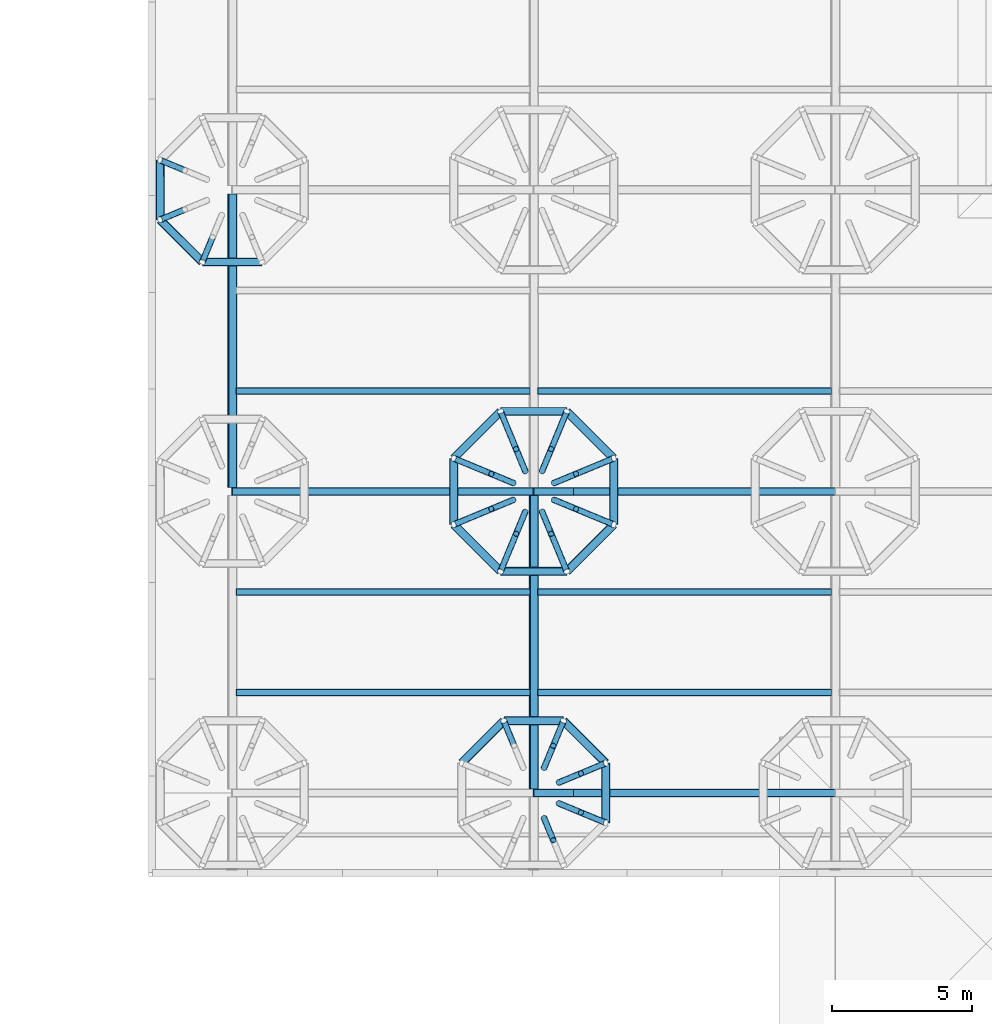
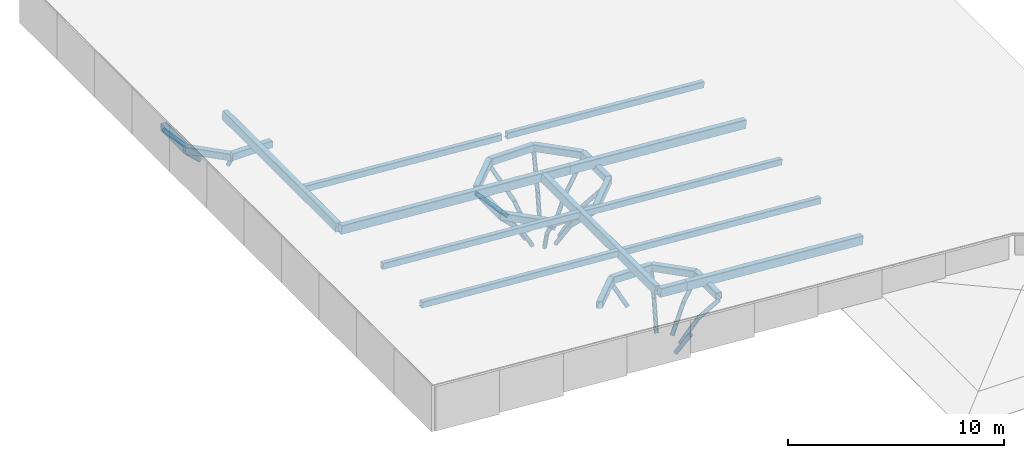
# One storey, part 37 of 95: 28 beams, 27 members.
"""IFC4 building model written with IfcOpenShell, lengths in metres."""

from ifc_helpers import new_model, si_unit, direction, frame, origin, origin_2d, place, context, subcontext, project, spatial, hollow_rectangle, hollow_circle, extrude, clip, halfspace, material, material_profile, profile_set, type_object, element, save


model = new_model("IFC4")

# Units and contexts
model_context = context("Model", 3, precision=1e-05, world=origin(), true_north=direction((0.0, 1.0)))
body_context = subcontext(model_context, "Body", "Model", "MODEL_VIEW")
ifc_project = project(units=[si_unit("LENGTHUNIT", "METRE"), si_unit("AREAUNIT", "SQUARE_METRE"), si_unit("VOLUMEUNIT", "CUBIC_METRE"), si_unit("PLANEANGLEUNIT", "RADIAN"), si_unit("MASSUNIT", "GRAM", prefix="KILO")], contexts=[model_context])

# Site, building, storey
site_placement = place(None, origin())
site = spatial("IfcSite", under=ifc_project, at=site_placement, CompositionType="ELEMENT")
building_placement = place(site_placement, origin())
building = spatial("IfcBuilding", under=site, at=building_placement, Name="Magnolia Steps Interchange", CompositionType="ELEMENT")
storey_placement = place(building_placement, frame((0.0, 0.0, 4.800048828125)))
storey = spatial("IfcBuildingStorey", under=building, at=storey_placement, Name="L01", CompositionType="ELEMENT", Elevation=4.800048828125)

# Beams
ifc_material_1 = material(Name="Steel Q355B", Category="steel")
ifc_material_profile_1 = material_profile(ifc_material_1, hollow_rectangle(XDim=0.300048828125, YDim=0.39990234375, WallThickness=0.013916015625, InnerFilletRadius=0.013916015625, OuterFilletRadius=0.028076171875, at=origin_2d()), Name="RHS400x300x14")
ifc_profile_set_1 = profile_set([ifc_material_profile_1], Name="Steel Q355B")
beam_type_1 = type_object("IfcBeamType", Name="Ring beam RHS400x300x14", PredefinedType="BEAM", material=ifc_profile_set_1)
beam_1_placement = place(storey_placement, frame((147.820068359375, 65.068603515625, 3.3310546875), z_axis=(0.0, -1.0, 0.0), x_axis=(1.0, 0.0, 0.0)))
element("IfcBeam", 1, at=beam_1_placement, inside=storey, type_object=beam_type_1, Name="Ring beam TC01C", PredefinedType="BEAM", context=body_context, shape_type="Clipping", body=[
    clip(clip(extrude(hollow_rectangle(XDim=0.300048828125, YDim=0.39990234375, WallThickness=0.013916015625, InnerFilletRadius=0.013916015625, OuterFilletRadius=0.028076171875, at=origin_2d()), origin(), (0.0, 0.0, 1.0), 2.13720703125), halfspace(frame((0.0, 0.0, 0.0), z_axis=(0.382683432, 0.0, -0.923879533), x_axis=(0.923879533, 0.0, 0.382683432)), False)), halfspace(frame((0.0, 0.0, 2.137207031), z_axis=(0.382683432, 0.0, 0.923879533), x_axis=(0.923879533, 0.0, -0.382683432)), False)),
])
beam_2_placement = place(storey_placement, frame((147.820068359375, 62.931396484375, 3.3310546875), z_axis=(0.707049666629, -0.707163891131, 0.0), x_axis=(0.707163891131, 0.707049666629, 0.0)))
element("IfcBeam", 2, at=beam_2_placement, inside=storey, type_object=beam_type_1, Name="Ring beam TC01C", PredefinedType="BEAM", context=body_context, shape_type="Clipping", body=[
    clip(clip(extrude(hollow_rectangle(XDim=0.300048828125, YDim=0.39990234375, WallThickness=0.013916015625, InnerFilletRadius=0.013916015625, OuterFilletRadius=0.028076171875, at=origin_2d()), origin(), (0.0, 0.0, 1.0), 2.137451171875), halfspace(frame((0.0, 0.0, 0.0), z_axis=(0.382608811, 0.0, -0.923910438), x_axis=(0.923910438, 0.0, 0.382608811)), False)), halfspace(frame((0.0, 0.0, 2.137375265), z_axis=(0.382758052, 0.0, 0.92384862), x_axis=(0.923848621, 0.0, -0.382758052)), False)),
])
beam_3_placement = place(storey_placement, frame((149.331298828125, 61.419921875, 3.3310546875), z_axis=(1.0, 0.0, 0.0), x_axis=(0.0, 1.0, 0.0)))
element("IfcBeam", 3, at=beam_3_placement, inside=storey, type_object=beam_type_1, Name="Ring beam TC01C", PredefinedType="BEAM", context=body_context, shape_type="Clipping", body=[
    clip(clip(extrude(hollow_rectangle(XDim=0.300048828125, YDim=0.39990234375, WallThickness=0.013916015625, InnerFilletRadius=0.013916015625, OuterFilletRadius=0.028076171875, at=origin_2d()), origin(), (0.0, 0.0, 1.0), 2.137451171875), halfspace(frame((0.0, 0.0, 0.0), z_axis=(0.382683432, 0.0, -0.923879533), x_axis=(0.923879533, 0.0, 0.382683432)), False)), halfspace(frame((0.0, 0.0, 2.137451172), z_axis=(0.382683432, 0.0, 0.923879533), x_axis=(0.923879533, 0.0, -0.382683432)), False)),
])
beam_4_placement = place(storey_placement, frame((163.780029296875, 43.46875, 2.543701171875), z_axis=(-0.707106781187, 0.707106781187, 0.0), x_axis=(-0.707106781187, -0.707106781187, 0.0)))
element("IfcBeam", 4, at=beam_4_placement, inside=storey, type_object=beam_type_1, Name="Ring beam TC02A", PredefinedType="BEAM", context=body_context, shape_type="Clipping", body=[
    clip(clip(extrude(hollow_rectangle(XDim=0.300048828125, YDim=0.39990234375, WallThickness=0.013916015625, InnerFilletRadius=0.013916015625, OuterFilletRadius=0.028076171875, at=origin_2d()), origin(), (0.0, 0.0, 1.0), 2.13720703125), halfspace(frame((0.0, 0.0, 0.0), z_axis=(0.382683433, 0.0, -0.923879532), x_axis=(0.923879532, 0.0, 0.382683433)), False)), halfspace(frame((0.0, 0.0, 2.137202625), z_axis=(0.382683433, 0.0, 0.923879532), x_axis=(0.923879532, 0.0, -0.382683433)), False)),
])
beam_5_placement = place(storey_placement, frame((162.268798828125, 44.97998046875, 2.543701171875), z_axis=(-1.0, 0.0, 0.0), x_axis=(0.0, -1.0, 0.0)))
element("IfcBeam", 5, at=beam_5_placement, inside=storey, type_object=beam_type_1, Name="Ring beam TC02A", PredefinedType="BEAM", context=body_context, shape_type="Clipping", body=[
    clip(clip(extrude(hollow_rectangle(XDim=0.300048828125, YDim=0.39990234375, WallThickness=0.013916015625, InnerFilletRadius=0.013916015625, OuterFilletRadius=0.028076171875, at=origin_2d()), origin(), (0.0, 0.0, 1.0), 2.137451171875), halfspace(frame((0.0, 0.0, 0.0), z_axis=(0.382683432, 0.0, -0.923879533), x_axis=(0.923879533, 0.0, 0.382683432)), False)), halfspace(frame((0.0, 0.0, 2.137451172), z_axis=(0.382683432, 0.0, 0.923879533), x_axis=(0.923879533, 0.0, -0.382683432)), False)),
])
beam_6_placement = place(storey_placement, frame((160.13134765625, 44.97998046875, 2.543701171875), z_axis=(-0.707106781187, -0.707106781187, 0.0), x_axis=(0.707106781187, -0.707106781187, 0.0)))
element("IfcBeam", 6, at=beam_6_placement, inside=storey, type_object=beam_type_1, Name="Ring beam TC02A", PredefinedType="BEAM", context=body_context, shape_type="Clipping", body=[
    clip(clip(extrude(hollow_rectangle(XDim=0.300048828125, YDim=0.39990234375, WallThickness=0.013916015625, InnerFilletRadius=0.013916015625, OuterFilletRadius=0.028076171875, at=origin_2d()), origin(), (0.0, 0.0, 1.0), 2.13720703125), halfspace(frame((0.0, 0.0, 0.0), z_axis=(0.382683433, 0.0, -0.923879532), x_axis=(0.923879532, 0.0, 0.382683433)), False)), halfspace(frame((0.0, 0.0, 2.137202625), z_axis=(0.382683433, 0.0, 0.923879532), x_axis=(0.923879532, 0.0, -0.382683433)), False)),
])
beam_7_placement = place(storey_placement, frame((163.780029296875, 41.331298828125, 2.543701171875), z_axis=(0.0, 1.0, 0.0), x_axis=(-1.0, 0.0, 0.0)))
element("IfcBeam", 7, at=beam_7_placement, inside=storey, type_object=beam_type_1, Name="Ring beam TC02A", PredefinedType="BEAM", context=body_context, shape_type="Clipping", body=[
    clip(clip(extrude(hollow_rectangle(XDim=0.300048828125, YDim=0.39990234375, WallThickness=0.013916015625, InnerFilletRadius=0.013916015625, OuterFilletRadius=0.028076171875, at=origin_2d()), origin(), (0.0, 0.0, 1.0), 2.137451171875), halfspace(frame((0.0, 0.0, 0.0), z_axis=(0.382683432, 0.0, -0.923879533), x_axis=(0.923879533, 0.0, 0.382683432)), False)), halfspace(frame((0.0, 0.0, 2.137451172), z_axis=(0.382683432, 0.0, 0.923879533), x_axis=(0.923879533, 0.0, -0.382683432)), False)),
])
beam_8_placement = place(storey_placement, frame((164.06396484375, 54.38623046875, 2.543701171875), z_axis=(-0.707106781187, 0.707106781187, 0.0), x_axis=(-0.707106781187, -0.707106781187, 0.0)))
element("IfcBeam", 8, at=beam_8_placement, inside=storey, type_object=beam_type_1, Name="Ring beam TC02B", PredefinedType="BEAM", context=body_context, shape_type="Clipping", body=[
    clip(clip(extrude(hollow_rectangle(XDim=0.300048828125, YDim=0.39990234375, WallThickness=0.013916015625, InnerFilletRadius=0.013916015625, OuterFilletRadius=0.028076171875, at=origin_2d()), origin(), (0.0, 0.0, 1.0), 2.37255859375), halfspace(frame((0.0, 0.0, 0.0), z_axis=(0.382683433, 0.0, -0.923879532), x_axis=(0.923879532, 0.0, 0.382683433)), False)), halfspace(frame((0.0, 0.0, 2.372674707), z_axis=(0.382683433, 0.0, 0.923879532), x_axis=(0.923879532, 0.0, -0.382683433)), False)),
])
beam_9_placement = place(storey_placement, frame((162.38623046875, 56.06396484375, 2.543701171875), z_axis=(-1.0, 0.0, 0.0), x_axis=(0.0, -1.0, 0.0)))
element("IfcBeam", 9, at=beam_9_placement, inside=storey, type_object=beam_type_1, Name="Ring beam TC02B", PredefinedType="BEAM", context=body_context, shape_type="Clipping", body=[
    clip(clip(extrude(hollow_rectangle(XDim=0.300048828125, YDim=0.39990234375, WallThickness=0.013916015625, InnerFilletRadius=0.013916015625, OuterFilletRadius=0.028076171875, at=origin_2d()), origin(), (0.0, 0.0, 1.0), 2.37255859375), halfspace(frame((0.0, 0.0, 0.0), z_axis=(0.382683432, 0.0, -0.923879533), x_axis=(0.923879533, 0.0, 0.382683432)), False)), halfspace(frame((0.0, 0.0, 2.372558594), z_axis=(0.382683432, 0.0, 0.923879533), x_axis=(0.923879533, 0.0, -0.382683432)), False)),
])
beam_10_placement = place(storey_placement, frame((160.013671875, 56.06396484375, 2.543701171875), z_axis=(-0.707106781187, -0.707106781187, 0.0), x_axis=(0.707106781187, -0.707106781187, 0.0)))
element("IfcBeam", 10, at=beam_10_placement, inside=storey, type_object=beam_type_1, Name="Ring beam TC02B", PredefinedType="BEAM", context=body_context, shape_type="Clipping", body=[
    clip(clip(extrude(hollow_rectangle(XDim=0.300048828125, YDim=0.39990234375, WallThickness=0.013916015625, InnerFilletRadius=0.013916015625, OuterFilletRadius=0.028076171875, at=origin_2d()), origin(), (0.0, 0.0, 1.0), 2.37255859375), halfspace(frame((0.0, 0.0, 0.0), z_axis=(0.382683433, 0.0, -0.923879532), x_axis=(0.923879532, 0.0, 0.382683433)), False)), halfspace(frame((0.0, 0.0, 2.372674707), z_axis=(0.382683433, 0.0, 0.923879532), x_axis=(0.923879532, 0.0, -0.382683433)), False)),
])
beam_11_placement = place(storey_placement, frame((158.3359375, 54.38623046875, 2.543701171875), z_axis=(0.0, -1.0, 0.0), x_axis=(1.0, 0.0, 0.0)))
element("IfcBeam", 11, at=beam_11_placement, inside=storey, type_object=beam_type_1, Name="Ring beam TC02B", PredefinedType="BEAM", context=body_context, shape_type="Clipping", body=[
    clip(clip(extrude(hollow_rectangle(XDim=0.300048828125, YDim=0.39990234375, WallThickness=0.013916015625, InnerFilletRadius=0.013916015625, OuterFilletRadius=0.028076171875, at=origin_2d()), origin(), (0.0, 0.0, 1.0), 2.37255859375), halfspace(frame((0.0, 0.0, 0.0), z_axis=(0.382683432, 0.0, -0.923879533), x_axis=(0.923879533, 0.0, 0.382683432)), False)), halfspace(frame((0.0, 0.0, 2.372558594), z_axis=(0.382683432, 0.0, 0.923879533), x_axis=(0.923879533, 0.0, -0.382683432)), False)),
])
beam_12_placement = place(storey_placement, frame((158.3359375, 52.013671875, 2.543701171875), z_axis=(0.707106781187, -0.707106781187, 0.0), x_axis=(0.707106781187, 0.707106781187, 0.0)))
element("IfcBeam", 12, at=beam_12_placement, inside=storey, type_object=beam_type_1, Name="Ring beam TC02B", PredefinedType="BEAM", context=body_context, shape_type="Clipping", body=[
    clip(clip(extrude(hollow_rectangle(XDim=0.300048828125, YDim=0.39990234375, WallThickness=0.013916015625, InnerFilletRadius=0.013916015625, OuterFilletRadius=0.028076171875, at=origin_2d()), origin(), (0.0, 0.0, 1.0), 2.37255859375), halfspace(frame((0.0, 0.0, 0.0), z_axis=(0.382683433, 0.0, -0.923879532), x_axis=(0.923879532, 0.0, 0.382683433)), False)), halfspace(frame((0.0, 0.0, 2.372674707), z_axis=(0.382683433, 0.0, 0.923879532), x_axis=(0.923879532, 0.0, -0.382683433)), False)),
])
beam_13_placement = place(storey_placement, frame((160.013671875, 50.3359375, 2.543701171875), z_axis=(1.0, 0.0, 0.0), x_axis=(0.0, 1.0, 0.0)))
element("IfcBeam", 13, at=beam_13_placement, inside=storey, type_object=beam_type_1, Name="Ring beam TC02B", PredefinedType="BEAM", context=body_context, shape_type="Clipping", body=[
    clip(clip(extrude(hollow_rectangle(XDim=0.300048828125, YDim=0.39990234375, WallThickness=0.013916015625, InnerFilletRadius=0.013916015625, OuterFilletRadius=0.028076171875, at=origin_2d()), origin(), (0.0, 0.0, 1.0), 2.37255859375), halfspace(frame((0.0, 0.0, 0.0), z_axis=(0.382683432, 0.0, -0.923879533), x_axis=(0.923879533, 0.0, 0.382683432)), False)), halfspace(frame((0.0, 0.0, 2.372558594), z_axis=(0.382683432, 0.0, 0.923879533), x_axis=(0.923879533, 0.0, -0.382683432)), False)),
])
beam_14_placement = place(storey_placement, frame((162.38623046875, 50.3359375, 2.543701171875), z_axis=(0.707106781187, 0.707106781187, 0.0), x_axis=(-0.707106781187, 0.707106781187, 0.0)))
element("IfcBeam", 14, at=beam_14_placement, inside=storey, type_object=beam_type_1, Name="Ring beam TC02B", PredefinedType="BEAM", context=body_context, shape_type="Clipping", body=[
    clip(clip(extrude(hollow_rectangle(XDim=0.300048828125, YDim=0.39990234375, WallThickness=0.013916015625, InnerFilletRadius=0.013916015625, OuterFilletRadius=0.028076171875, at=origin_2d()), origin(), (0.0, 0.0, 1.0), 2.37255859375), halfspace(frame((0.0, 0.0, 0.0), z_axis=(0.382683433, 0.0, -0.923879532), x_axis=(0.923879532, 0.0, 0.382683433)), False)), halfspace(frame((0.0, 0.0, 2.372674707), z_axis=(0.382683433, 0.0, 0.923879532), x_axis=(0.923879532, 0.0, -0.382683433)), False)),
])
beam_15_placement = place(storey_placement, frame((164.06396484375, 52.013671875, 2.543701171875), z_axis=(0.0, 1.0, 0.0), x_axis=(-1.0, 0.0, 0.0)))
element("IfcBeam", 15, at=beam_15_placement, inside=storey, type_object=beam_type_1, Name="Ring beam TC02B", PredefinedType="BEAM", context=body_context, shape_type="Clipping", body=[
    clip(clip(extrude(hollow_rectangle(XDim=0.300048828125, YDim=0.39990234375, WallThickness=0.013916015625, InnerFilletRadius=0.013916015625, OuterFilletRadius=0.028076171875, at=origin_2d()), origin(), (0.0, 0.0, 1.0), 2.37255859375), halfspace(frame((0.0, 0.0, 0.0), z_axis=(0.382683432, 0.0, -0.923879533), x_axis=(0.923879533, 0.0, 0.382683432)), False)), halfspace(frame((0.0, 0.0, 2.372558594), z_axis=(0.382683432, 0.0, 0.923879533), x_axis=(0.923879533, 0.0, -0.382683432)), False)),
])
ifc_material_2 = material(Name="Steel Q355B", Category="steel")
ifc_material_profile_2 = material_profile(ifc_material_2, hollow_rectangle(XDim=0.300048828125, YDim=0.5, WallThickness=0.01611328125, InnerFilletRadius=0.01611328125, OuterFilletRadius=0.031982421875, at=origin_2d()), Name="RHS500x300x16")
ifc_profile_set_2 = profile_set([ifc_material_profile_2], Name="Steel Q355B")
beam_type_2 = type_object("IfcBeamType", Name="Roof beam RHS500x300x16", PredefinedType="BEAM", material=ifc_profile_set_2)
beam_16_placement = place(storey_placement, frame((161.199951171875, 42.39990234375, 3.042724609375), z_axis=(0.997354367098, 0.0, -0.072692959973), x_axis=(0.0, 1.0, 0.0)))
element("IfcBeam", 16, at=beam_16_placement, inside=storey, type_object=beam_type_2, Name="Roof beam", PredefinedType="BEAM", context=body_context, shape_type="SweptSolid", body=[
    extrude(hollow_rectangle(XDim=0.300048828125, YDim=0.5, WallThickness=0.01611328125, InnerFilletRadius=0.01611328125, OuterFilletRadius=0.031982421875, at=origin_2d()), origin(), (0.0, 0.0, 1.0), 1.40380859375),
])
beam_17_placement = place(storey_placement, frame((162.60009765625, 42.39990234375, 2.940673828125), z_axis=(0.997352955834, 0.0, -0.072712320062), x_axis=(0.0, 1.0, 0.0)))
element("IfcBeam", 17, at=beam_17_placement, inside=storey, type_object=beam_type_2, Name="Roof beam", PredefinedType="BEAM", context=body_context, shape_type="SweptSolid", body=[
    extrude(hollow_rectangle(XDim=0.300048828125, YDim=0.5, WallThickness=0.01611328125, InnerFilletRadius=0.01611328125, OuterFilletRadius=0.031982421875, at=origin_2d()), origin(), (0.0, 0.0, 1.0), 9.4248046875),
])
beam_18_placement = place(storey_placement, frame((150.39990234375, 53.199951171875, 3.830322265625), z_axis=(0.997351503613, 0.0, -0.072732236604), x_axis=(0.0, 1.0, 0.0)))
element("IfcBeam", 18, at=beam_18_placement, inside=storey, type_object=beam_type_2, Name="Roof beam", PredefinedType="BEAM", context=body_context, shape_type="SweptSolid", body=[
    extrude(hollow_rectangle(XDim=0.300048828125, YDim=0.5, WallThickness=0.01611328125, InnerFilletRadius=0.01611328125, OuterFilletRadius=0.031982421875, at=origin_2d()), origin(), (0.0, 0.0, 1.0), 10.82861328125),
])
beam_19_placement = place(storey_placement, frame((161.199951171875, 53.199951171875, 3.042724609375), z_axis=(0.997354367098, 0.0, -0.072692959973), x_axis=(0.0, 1.0, 0.0)))
element("IfcBeam", 19, at=beam_19_placement, inside=storey, type_object=beam_type_2, Name="Roof beam", PredefinedType="BEAM", context=body_context, shape_type="SweptSolid", body=[
    extrude(hollow_rectangle(XDim=0.300048828125, YDim=0.5, WallThickness=0.01611328125, InnerFilletRadius=0.01611328125, OuterFilletRadius=0.031982421875, at=origin_2d()), origin(), (0.0, 0.0, 1.0), 1.40380859375),
])
beam_20_placement = place(storey_placement, frame((162.60009765625, 53.199951171875, 2.940673828125), z_axis=(0.997352955834, 0.0, -0.072712320062), x_axis=(0.0, 1.0, 0.0)))
element("IfcBeam", 20, at=beam_20_placement, inside=storey, type_object=beam_type_2, Name="Roof beam", PredefinedType="BEAM", context=body_context, shape_type="SweptSolid", body=[
    extrude(hollow_rectangle(XDim=0.300048828125, YDim=0.5, WallThickness=0.01611328125, InnerFilletRadius=0.01611328125, OuterFilletRadius=0.031982421875, at=origin_2d()), origin(), (0.0, 0.0, 1.0), 9.4248046875),
])
for number, where, z_axis, x_axis, name in (
    (21, (150.39990234375, 53.35009765625, 3.830322265625), (0.0, 1.0, 0.0), (-0.997352109794, 0.0, 0.072723923782), "Roof beam"),
    (22, (161.199951171875, 42.550048828125, 3.042724609375), (0.0, 1.0, 0.0), (-0.997352109794, 0.0, 0.072723923782), "Roof beam"),
):
    element("IfcBeam", number, at=place(storey_placement, frame(where, z_axis=z_axis, x_axis=x_axis)), inside=storey, type_object=beam_type_2, Name=name, PredefinedType="BEAM", context=body_context, shape_type="SweptSolid", body=[
        extrude(hollow_rectangle(XDim=0.300048828125, YDim=0.5, WallThickness=0.01611328125, InnerFilletRadius=0.01611328125, OuterFilletRadius=0.031982421875, at=origin_2d()), origin(), (0.0, 0.0, 1.0), 10.5),
    ])
ifc_material_3 = material(Name="Steel Q355B", Category="steel")
ifc_material_profile_3 = material_profile(ifc_material_3, hollow_rectangle(XDim=0.25, YDim=0.35009765625, WallThickness=0.011962890625, InnerFilletRadius=0.011962890625, OuterFilletRadius=0.02392578125, at=origin_2d()), Name="RHS350x250x12")
ifc_profile_set_3 = profile_set([ifc_material_profile_3], Name="Steel Q355B")
beam_type_3 = type_object("IfcBeamType", Name="Roof joist RHS350x250x12", PredefinedType="BEAM", material=ifc_profile_set_3)
for number, where, z_axis, x_axis, name in (
    (23, (150.550048828125, 46.0, 3.89453125), (0.997352133906, 0.0, -0.072723593097), (0.0, 1.0, 0.0), "Roof joist"),
    (24, (161.35009765625, 46.0, 3.10693359375), (0.997352133906, 0.0, -0.072723593097), (0.0, 1.0, 0.0), "Roof joist"),
    (25, (150.550048828125, 49.60009765625, 3.89453125), (0.997352133906, 0.0, -0.072723593097), (0.0, 1.0, 0.0), "Roof joist"),
    (26, (161.35009765625, 49.60009765625, 3.10693359375), (0.997352133906, 0.0, -0.072723593097), (0.0, 1.0, 0.0), "Roof joist"),
    (27, (150.550048828125, 56.800048828125, 3.89453125), (0.997352133906, 0.0, -0.072723593097), (0.0, 1.0, 0.0), "Roof joist"),
    (28, (161.35009765625, 56.800048828125, 3.10693359375), (0.997352133906, 0.0, -0.072723593097), (0.0, 1.0, 0.0), "Roof joist"),
):
    element("IfcBeam", number, at=place(storey_placement, frame(where, z_axis=z_axis, x_axis=x_axis)), inside=storey, type_object=beam_type_3, Name=name, PredefinedType="BEAM", context=body_context, shape_type="SweptSolid", body=[
        extrude(hollow_rectangle(XDim=0.25, YDim=0.35009765625, WallThickness=0.011962890625, InnerFilletRadius=0.011962890625, OuterFilletRadius=0.02392578125, at=origin_2d()), origin(), (0.0, 0.0, 1.0), 10.52783203125),
    ])

# Members
ifc_material_4 = material(Name="Steel Q355B", Category="steel")
ifc_material_profile_4 = material_profile(ifc_material_4, hollow_circle(Radius=0.109619140625, WallThickness=0.010009765625, at=origin_2d()), Name="CHS219x10")
ifc_profile_set_4 = profile_set([ifc_material_profile_4], Name="Steel Q355B")
member_type = type_object("IfcMemberType", Name="Tree rib CHS219x10", PredefinedType="USERDEFINED", material=ifc_profile_set_4)
for number, where, z_axis, x_axis, name in (
    (29, (148.708251953125, 64.70068359375, 2.20263671875), (-0.664549413336, 0.275282013715, 0.694689779801), (-0.382703170478, -0.92387135647, 0.0), "Tree rib TC01C"),
    (30, (148.708251953125, 63.29931640625, 2.20263671875), (-0.664549413336, -0.275282013715, 0.694689779801), (0.382703170478, -0.92387135647, 0.0), "Tree rib TC01C"),
    (31, (149.69921875, 62.30810546875, 2.20263671875), (-0.275282013715, -0.664549413336, 0.694689779801), (0.92387135647, -0.382703170478, 0.0), "Tree rib TC01C"),
):
    element("IfcMember", number, at=place(storey_placement, frame(where, z_axis=z_axis, x_axis=x_axis)), inside=storey, type_object=member_type, Name=name, ObjectType="TREE RIB", PredefinedType="USERDEFINED", context=body_context, shape_type="SweptSolid", body=[
        extrude(hollow_circle(Radius=0.109619140625, WallThickness=0.010009765625, at=origin_2d()), origin(), (0.0, 0.0, 1.0), 1.33642578125),
    ])
member_1_placement = place(storey_placement, frame((162.098388671875, 42.772216796875, 0.041259765625), z_axis=(0.489763106414, 0.202686577885, 0.847968307628), x_axis=(-0.382393644713, 0.923999513248, 0.0)))
element("IfcMember", 32, at=member_1_placement, inside=storey, type_object=member_type, Name="Tree rib TC02A", ObjectType="TREE RIB", PredefinedType="USERDEFINED", context=body_context, shape_type="SweptSolid", body=[
    extrude(hollow_circle(Radius=0.109619140625, WallThickness=0.010009765625, at=origin_2d()), origin(), (0.0, 0.0, 1.0), 1.6201171875),
])
member_2_placement = place(storey_placement, frame((162.891845703125, 43.1005859375, 1.4150390625), z_axis=(0.664431675155, 0.275415878541, 0.694749338177), x_axis=(-0.382919895219, 0.923781550934, 0.0)))
element("IfcMember", 33, at=member_2_placement, inside=storey, type_object=member_type, Name="Tree rib TC02A", ObjectType="TREE RIB", PredefinedType="USERDEFINED", context=body_context, shape_type="SweptSolid", body=[
    extrude(hollow_circle(Radius=0.109619140625, WallThickness=0.010009765625, at=origin_2d()), origin(), (0.0, 0.0, 1.0), 1.336669921875),
])
member_3_placement = place(storey_placement, frame((161.572265625, 43.298583984375, 0.041259765625), z_axis=(0.202701536625, 0.489648544606, 0.848030889658), x_axis=(-0.923957924019, 0.382494123671, 0.0)))
element("IfcMember", 34, at=member_3_placement, inside=storey, type_object=member_type, Name="Tree rib TC02A", ObjectType="TREE RIB", PredefinedType="USERDEFINED", context=body_context, shape_type="SweptSolid", body=[
    extrude(hollow_circle(Radius=0.109619140625, WallThickness=0.010009765625, at=origin_2d()), origin(), (0.0, 0.0, 1.0), 1.619873046875),
])
for number, where, z_axis, x_axis, name in (
    (35, (161.900634765625, 44.091796875, 1.4150390625), (0.275415878541, 0.664431675155, 0.694749338177), (-0.923781550934, 0.382919895219, 0.0), "Tree rib TC02A"),
    (36, (160.499267578125, 44.091796875, 1.4150390625), (-0.275247082978, 0.664465088171, 0.694784275811), (-0.92387135647, -0.382703170478, 0.0), "Tree rib TC02A"),
):
    element("IfcMember", number, at=place(storey_placement, frame(where, z_axis=z_axis, x_axis=x_axis)), inside=storey, type_object=member_type, Name=name, ObjectType="TREE RIB", PredefinedType="USERDEFINED", context=body_context, shape_type="SweptSolid", body=[
        extrude(hollow_circle(Radius=0.109619140625, WallThickness=0.010009765625, at=origin_2d()), origin(), (0.0, 0.0, 1.0), 1.336669921875),
    ])
member_4_placement = place(storey_placement, frame((161.572265625, 41.50146484375, 0.041259765625), z_axis=(0.202701536625, -0.489648544606, 0.848030889658), x_axis=(0.923957924019, 0.382494123671, 0.0)))
element("IfcMember", 37, at=member_4_placement, inside=storey, type_object=member_type, Name="Tree rib TC02A", ObjectType="TREE RIB", PredefinedType="USERDEFINED", context=body_context, shape_type="SweptSolid", body=[
    extrude(hollow_circle(Radius=0.109619140625, WallThickness=0.010009765625, at=origin_2d()), origin(), (0.0, 0.0, 1.0), 1.619873046875),
])
member_5_placement = place(storey_placement, frame((162.098388671875, 42.02783203125, 0.041259765625), z_axis=(0.489748142153, -0.202831076719, 0.847942398736), x_axis=(0.382636339827, 0.923899037473, 0.0)))
element("IfcMember", 38, at=member_5_placement, inside=storey, type_object=member_type, Name="Tree rib TC02A", ObjectType="TREE RIB", PredefinedType="USERDEFINED", context=body_context, shape_type="SweptSolid", body=[
    extrude(hollow_circle(Radius=0.109619140625, WallThickness=0.010009765625, at=origin_2d()), origin(), (0.0, 0.0, 1.0), 1.6201171875),
])
member_6_placement = place(storey_placement, frame((162.891845703125, 41.69921875, 1.4150390625), z_axis=(0.664465088171, -0.275247082978, 0.694784275811), x_axis=(0.382703170478, 0.92387135647, 0.0)))
element("IfcMember", 39, at=member_6_placement, inside=storey, type_object=member_type, Name="Tree rib TC02A", ObjectType="TREE RIB", PredefinedType="USERDEFINED", context=body_context, shape_type="SweptSolid", body=[
    extrude(hollow_circle(Radius=0.109619140625, WallThickness=0.010009765625, at=origin_2d()), origin(), (0.0, 0.0, 1.0), 1.336669921875),
])
member_7_placement = place(storey_placement, frame((161.924560546875, 53.5, -0.4375), z_axis=(0.489571014481, 0.202820124805, 0.848047297475), x_axis=(-0.382736860682, 0.923857399968, 0.0)))
element("IfcMember", 40, at=member_7_placement, inside=storey, type_object=member_type, Name="Tree rib TC02B", ObjectType="TREE RIB", PredefinedType="USERDEFINED", context=body_context, shape_type="SweptSolid", body=[
    extrude(hollow_circle(Radius=0.109619140625, WallThickness=0.010009765625, at=origin_2d()), origin(), (0.0, 0.0, 1.0), 1.6201171875),
])
member_8_placement = place(storey_placement, frame((162.7177734375, 53.82861328125, 0.9365234375), z_axis=(0.664556614974, 0.275271546718, 0.694687038214), x_axis=(-0.382687210373, 0.9238779676, 0.0)))
element("IfcMember", 41, at=member_8_placement, inside=storey, type_object=member_type, Name="Tree rib TC02B", ObjectType="TREE RIB", PredefinedType="USERDEFINED", context=body_context, shape_type="SweptSolid", body=[
    extrude(hollow_circle(Radius=0.109619140625, WallThickness=0.010009765625, at=origin_2d()), origin(), (0.0, 0.0, 1.0), 2.025634765625),
])
member_9_placement = place(storey_placement, frame((161.5, 53.924560546875, -0.4375), z_axis=(0.202820124805, 0.489571014481, 0.848047297475), x_axis=(-0.923857399968, 0.382736860682, 0.0)))
element("IfcMember", 42, at=member_9_placement, inside=storey, type_object=member_type, Name="Tree rib TC02B", ObjectType="TREE RIB", PredefinedType="USERDEFINED", context=body_context, shape_type="SweptSolid", body=[
    extrude(hollow_circle(Radius=0.109619140625, WallThickness=0.010009765625, at=origin_2d()), origin(), (0.0, 0.0, 1.0), 1.6201171875),
])
member_10_placement = place(storey_placement, frame((161.82861328125, 54.7177734375, 0.9365234375), z_axis=(0.275271546718, 0.664556614974, 0.694687038214), x_axis=(-0.9238779676, 0.382687210373, 0.0)))
element("IfcMember", 43, at=member_10_placement, inside=storey, type_object=member_type, Name="Tree rib TC02B", ObjectType="TREE RIB", PredefinedType="USERDEFINED", context=body_context, shape_type="SweptSolid", body=[
    extrude(hollow_circle(Radius=0.109619140625, WallThickness=0.010009765625, at=origin_2d()), origin(), (0.0, 0.0, 1.0), 2.025634765625),
])
member_11_placement = place(storey_placement, frame((160.89990234375, 53.924560546875, -0.4375), z_axis=(-0.202820124805, 0.489571014481, 0.848047297475), x_axis=(-0.923857399968, -0.382736860682, 0.0)))
element("IfcMember", 44, at=member_11_placement, inside=storey, type_object=member_type, Name="Tree rib TC02B", ObjectType="TREE RIB", PredefinedType="USERDEFINED", context=body_context, shape_type="SweptSolid", body=[
    extrude(hollow_circle(Radius=0.109619140625, WallThickness=0.010009765625, at=origin_2d()), origin(), (0.0, 0.0, 1.0), 1.6201171875),
])
member_12_placement = place(storey_placement, frame((160.5712890625, 54.7177734375, 0.9365234375), z_axis=(-0.275271546718, 0.664556614974, 0.694687038214), x_axis=(-0.9238779676, -0.382687210373, 0.0)))
element("IfcMember", 45, at=member_12_placement, inside=storey, type_object=member_type, Name="Tree rib TC02B", ObjectType="TREE RIB", PredefinedType="USERDEFINED", context=body_context, shape_type="SweptSolid", body=[
    extrude(hollow_circle(Radius=0.109619140625, WallThickness=0.010009765625, at=origin_2d()), origin(), (0.0, 0.0, 1.0), 2.025634765625),
])
member_13_placement = place(storey_placement, frame((160.475341796875, 53.5, -0.4375), z_axis=(-0.489571014481, 0.202820124805, 0.848047297475), x_axis=(-0.382736860682, -0.923857399968, 0.0)))
element("IfcMember", 46, at=member_13_placement, inside=storey, type_object=member_type, Name="Tree rib TC02B", ObjectType="TREE RIB", PredefinedType="USERDEFINED", context=body_context, shape_type="SweptSolid", body=[
    extrude(hollow_circle(Radius=0.109619140625, WallThickness=0.010009765625, at=origin_2d()), origin(), (0.0, 0.0, 1.0), 1.6201171875),
])
member_14_placement = place(storey_placement, frame((159.68212890625, 53.82861328125, 0.9365234375), z_axis=(-0.664556614974, 0.275271546718, 0.694687038214), x_axis=(-0.382687210373, -0.9238779676, 0.0)))
element("IfcMember", 47, at=member_14_placement, inside=storey, type_object=member_type, Name="Tree rib TC02B", ObjectType="TREE RIB", PredefinedType="USERDEFINED", context=body_context, shape_type="SweptSolid", body=[
    extrude(hollow_circle(Radius=0.109619140625, WallThickness=0.010009765625, at=origin_2d()), origin(), (0.0, 0.0, 1.0), 2.025634765625),
])
member_15_placement = place(storey_placement, frame((160.475341796875, 52.89990234375, -0.4375), z_axis=(-0.489571014481, -0.202820124805, 0.848047297475), x_axis=(0.382736860682, -0.923857399968, 0.0)))
element("IfcMember", 48, at=member_15_placement, inside=storey, type_object=member_type, Name="Tree rib TC02B", ObjectType="TREE RIB", PredefinedType="USERDEFINED", context=body_context, shape_type="SweptSolid", body=[
    extrude(hollow_circle(Radius=0.109619140625, WallThickness=0.010009765625, at=origin_2d()), origin(), (0.0, 0.0, 1.0), 1.6201171875),
])
member_16_placement = place(storey_placement, frame((159.68212890625, 52.5712890625, 0.9365234375), z_axis=(-0.664556614974, -0.275271546718, 0.694687038214), x_axis=(0.382687210373, -0.9238779676, 0.0)))
element("IfcMember", 49, at=member_16_placement, inside=storey, type_object=member_type, Name="Tree rib TC02B", ObjectType="TREE RIB", PredefinedType="USERDEFINED", context=body_context, shape_type="SweptSolid", body=[
    extrude(hollow_circle(Radius=0.109619140625, WallThickness=0.010009765625, at=origin_2d()), origin(), (0.0, 0.0, 1.0), 2.025634765625),
])
member_17_placement = place(storey_placement, frame((160.89990234375, 52.475341796875, -0.4375), z_axis=(-0.202820124805, -0.489571014481, 0.848047297475), x_axis=(0.923857399968, -0.382736860682, 0.0)))
element("IfcMember", 50, at=member_17_placement, inside=storey, type_object=member_type, Name="Tree rib TC02B", ObjectType="TREE RIB", PredefinedType="USERDEFINED", context=body_context, shape_type="SweptSolid", body=[
    extrude(hollow_circle(Radius=0.109619140625, WallThickness=0.010009765625, at=origin_2d()), origin(), (0.0, 0.0, 1.0), 1.6201171875),
])
member_18_placement = place(storey_placement, frame((160.5712890625, 51.68212890625, 0.9365234375), z_axis=(-0.275271546718, -0.664556614974, 0.694687038214), x_axis=(0.9238779676, -0.382687210373, 0.0)))
element("IfcMember", 51, at=member_18_placement, inside=storey, type_object=member_type, Name="Tree rib TC02B", ObjectType="TREE RIB", PredefinedType="USERDEFINED", context=body_context, shape_type="SweptSolid", body=[
    extrude(hollow_circle(Radius=0.109619140625, WallThickness=0.010009765625, at=origin_2d()), origin(), (0.0, 0.0, 1.0), 2.025634765625),
])
member_19_placement = place(storey_placement, frame((161.5, 52.475341796875, -0.4375), z_axis=(0.202820124805, -0.489571014481, 0.848047297475), x_axis=(0.923857399968, 0.382736860682, 0.0)))
element("IfcMember", 52, at=member_19_placement, inside=storey, type_object=member_type, Name="Tree rib TC02B", ObjectType="TREE RIB", PredefinedType="USERDEFINED", context=body_context, shape_type="SweptSolid", body=[
    extrude(hollow_circle(Radius=0.109619140625, WallThickness=0.010009765625, at=origin_2d()), origin(), (0.0, 0.0, 1.0), 1.6201171875),
])
member_20_placement = place(storey_placement, frame((161.82861328125, 51.68212890625, 0.9365234375), z_axis=(0.275271546718, -0.664556614974, 0.694687038214), x_axis=(0.9238779676, 0.382687210373, 0.0)))
element("IfcMember", 53, at=member_20_placement, inside=storey, type_object=member_type, Name="Tree rib TC02B", ObjectType="TREE RIB", PredefinedType="USERDEFINED", context=body_context, shape_type="SweptSolid", body=[
    extrude(hollow_circle(Radius=0.109619140625, WallThickness=0.010009765625, at=origin_2d()), origin(), (0.0, 0.0, 1.0), 2.025634765625),
])
member_21_placement = place(storey_placement, frame((161.924560546875, 52.89990234375, -0.4375), z_axis=(0.489571014481, -0.202820124805, 0.848047297475), x_axis=(0.382736860682, 0.923857399968, 0.0)))
element("IfcMember", 54, at=member_21_placement, inside=storey, type_object=member_type, Name="Tree rib TC02B", ObjectType="TREE RIB", PredefinedType="USERDEFINED", context=body_context, shape_type="SweptSolid", body=[
    extrude(hollow_circle(Radius=0.109619140625, WallThickness=0.010009765625, at=origin_2d()), origin(), (0.0, 0.0, 1.0), 1.6201171875),
])
member_22_placement = place(storey_placement, frame((162.7177734375, 52.5712890625, 0.9365234375), z_axis=(0.664556614974, -0.275271546718, 0.694687038214), x_axis=(0.382687210373, 0.9238779676, 0.0)))
element("IfcMember", 55, at=member_22_placement, inside=storey, type_object=member_type, Name="Tree rib TC02B", ObjectType="TREE RIB", PredefinedType="USERDEFINED", context=body_context, shape_type="SweptSolid", body=[
    extrude(hollow_circle(Radius=0.109619140625, WallThickness=0.010009765625, at=origin_2d()), origin(), (0.0, 0.0, 1.0), 2.025634765625),
])

save(model, "model.ifc")
